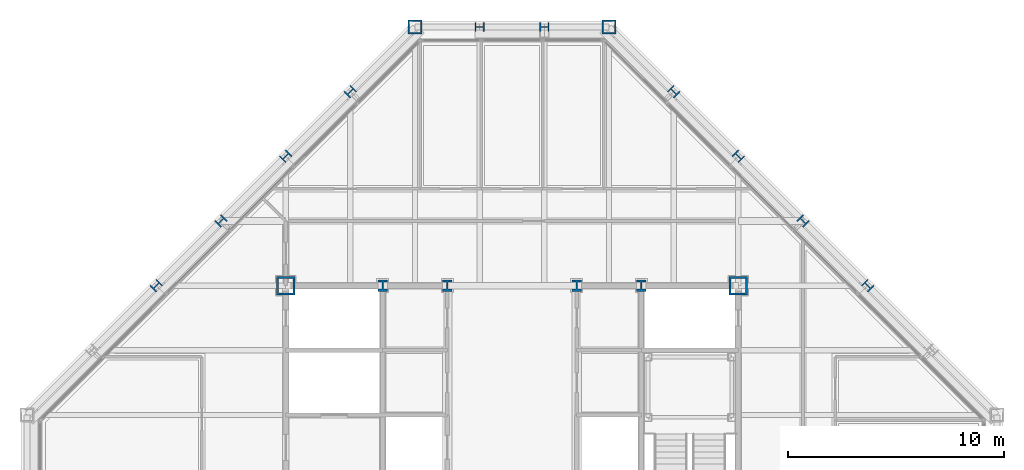
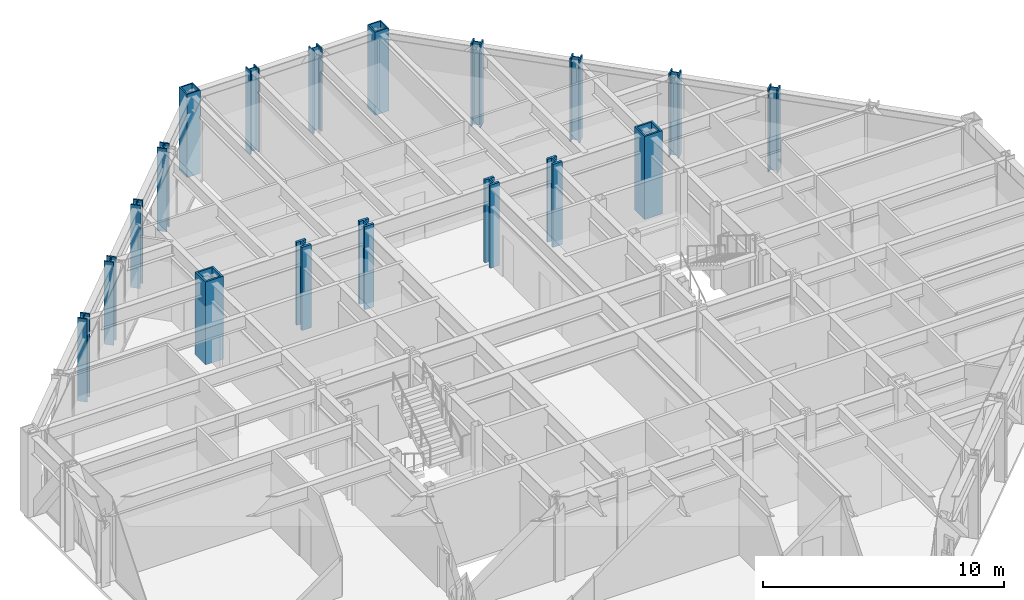
# One storey, part 4 of 15: 18 columns.
"""IFC4 building model written with IfcOpenShell, lengths in metres."""

from ifc_helpers import new_model, si_unit, direction, frame, origin, origin_2d, place, context, subcontext, project, spatial, hollow_rectangle, i_section, extrude, material, material_profile, profile_set, type_object, element, save


model = new_model("IFC4")

# Units and contexts
model_context = context("Model", 3, precision=1e-05, world=origin(), true_north=direction((0.0, 1.0)))
body_context = subcontext(model_context, "Body", "Model", "MODEL_VIEW")
ifc_project = project(units=[si_unit("LENGTHUNIT", "METRE"), si_unit("AREAUNIT", "SQUARE_METRE"), si_unit("VOLUMEUNIT", "CUBIC_METRE"), si_unit("PLANEANGLEUNIT", "RADIAN"), si_unit("MASSUNIT", "GRAM", prefix="KILO")], contexts=[model_context])

# Site, building, storey
site_placement = place(None, origin())
site = spatial("IfcSite", under=ifc_project, at=site_placement, CompositionType="ELEMENT")
building_placement = place(site_placement, origin())
building = spatial("IfcBuilding", under=site, at=building_placement, Name="Chuquiago Exchange Tower", CompositionType="ELEMENT")
storey_placement = place(building_placement, frame((0.0, 0.0, 279.0)))
storey = spatial("IfcBuildingStorey", under=building, at=storey_placement, Name="L62", CompositionType="ELEMENT", Elevation=279.0)

# Columns
ifc_material_1 = material(Name="Steel ASTM A992", Category="steel")
ifc_material_profile_1 = material_profile(ifc_material_1, i_section(OverallWidth=0.411376953125, OverallDepth=0.434326171875, WebThickness=0.035888671875, FlangeThickness=0.057373046875, at=origin_2d()), Name="W14X311")
ifc_profile_set_1 = profile_set([ifc_material_profile_1], Name="Steel ASTM A992")
column_type_1 = type_object("IfcColumnType", Name="C5 W14X311", PredefinedType="COLUMN", material=ifc_profile_set_1)
for number, where, z_axis, x_axis, name in (
    (1, (24.0, 45.0, 0.0), (0.0, 0.0, 1.0), (0.0, 1.0, 0.0), "COL-L62-24_45"),
    (2, (21.0, 45.0, 0.0), (0.0, 0.0, 1.0), (0.0, 1.0, 0.0), "COL-L62-21_45"),
):
    element("IfcColumn", number, at=place(storey_placement, frame(where, z_axis=z_axis, x_axis=x_axis)), inside=storey, type_object=column_type_1, Name=name, PredefinedType="COLUMN", context=body_context, shape_type="SweptSolid", body=[
        extrude(i_section(OverallWidth=0.411376953125, OverallDepth=0.434326171875, WebThickness=0.035888671875, FlangeThickness=0.057373046875, at=origin_2d()), origin(), (0.0, 0.0, 1.0), 4.199951171875),
    ])
ifc_material_2 = material(Name="Steel ASTM A992", Category="steel")
ifc_material_profile_2 = material_profile(ifc_material_2, i_section(OverallWidth=0.449462890625, OverallDepth=0.548583984375, WebThickness=0.07177734375, FlangeThickness=0.11474609375, at=origin_2d()), Name="W14X665")
ifc_profile_set_2 = profile_set([ifc_material_profile_2], Name="Steel ASTM A992")
column_type_2 = type_object("IfcColumnType", Name="CC5 W14X665", PredefinedType="COLUMN", material=ifc_profile_set_2)
for number, where, z_axis, x_axis, name in (
    (3, (16.5, 33.0, 0.0), (0.0, 0.0, 1.0), (1.0, 0.0, 0.0), "CCOL-L62-16.5_33"),
    (4, (19.5, 33.0, 0.0), (0.0, 0.0, 1.0), (1.0, 0.0, 0.0), "CCOL-L62-19.5_33"),
    (5, (25.5, 33.0, 0.0), (0.0, 0.0, 1.0), (1.0, 0.0, 0.0), "CCOL-L62-25.5_33"),
    (6, (28.5, 33.0, 0.0), (0.0, 0.0, 1.0), (1.0, 0.0, 0.0), "CCOL-L62-28.5_33"),
):
    element("IfcColumn", number, at=place(storey_placement, frame(where, z_axis=z_axis, x_axis=x_axis)), inside=storey, type_object=column_type_2, Name=name, PredefinedType="COLUMN", context=body_context, shape_type="SweptSolid", body=[
        extrude(i_section(OverallWidth=0.449462890625, OverallDepth=0.548583984375, WebThickness=0.07177734375, FlangeThickness=0.11474609375, at=origin_2d()), origin(), (0.0, 0.0, 1.0), 4.199951171875),
    ])
ifc_material_3 = material(Name="Steel ASTM A572 Grade 50", Category="steel")
ifc_material_profile_3 = material_profile(ifc_material_3, hollow_rectangle(XDim=0.85009765625, YDim=0.85009765625, WallThickness=0.0849609375, at=origin_2d()), Name="BOX850X850X85")
ifc_profile_set_3 = profile_set([ifc_material_profile_3], Name="Steel ASTM A572 Grade 50")
column_type_3 = type_object("IfcColumnType", Name="CC6 BOX850X850X85", PredefinedType="COLUMN", material=ifc_profile_set_3)
for number, where, z_axis, x_axis, name in (
    (7, (12.0, 33.0, 0.0), (0.0, 0.0, 1.0), (1.0, 0.0, 0.0), "CCOL-L62-12_33"),
    (8, (33.0, 33.0, 0.0), (0.0, 0.0, 1.0), (1.0, 0.0, 0.0), "CCOL-L62-33_33"),
):
    element("IfcColumn", number, at=place(storey_placement, frame(where, z_axis=z_axis, x_axis=x_axis)), inside=storey, type_object=column_type_3, Name=name, PredefinedType="COLUMN", context=body_context, shape_type="SweptSolid", body=[
        extrude(hollow_rectangle(XDim=0.85009765625, YDim=0.85009765625, WallThickness=0.0849609375, at=origin_2d()), origin(), (0.0, 0.0, 1.0), 4.199951171875),
    ])
ifc_material_4 = material(Name="Steel ASTM A992", Category="steel")
ifc_material_profile_4 = material_profile(ifc_material_4, i_section(OverallWidth=0.41650390625, OverallDepth=0.444580078125, WebThickness=0.0390625, FlangeThickness=0.062744140625, at=origin_2d()), Name="W14X342")
ifc_profile_set_4 = profile_set([ifc_material_profile_4], Name="Steel ASTM A992")
column_type_4 = type_object("IfcColumnType", Name="CK5 W14X342", PredefinedType="COLUMN", material=ifc_profile_set_4)
for number, where, z_axis, x_axis, name in (
    (9, (39.0, 33.0, 0.0), (0.0, 0.0, 1.0), (0.707106781187, 0.707106781187, 0.0), "COL-L62-39_33"),
    (10, (36.0, 36.0, 0.0), (0.0, 0.0, 1.0), (0.707106781187, 0.707106781187, 0.0), "COL-L62-36_36"),
    (11, (33.0, 39.0, 0.0), (0.0, 0.0, 1.0), (0.707106781187, 0.707106781187, 0.0), "COL-L62-33_39"),
    (12, (30.0, 42.0, 0.0), (0.0, 0.0, 1.0), (0.707106781187, 0.707106781187, 0.0), "COL-L62-30_42"),
    (13, (15.0, 42.0, 0.0), (0.0, 0.0, 1.0), (-0.707106781187, 0.707106781187, 0.0), "COL-L62-15_42"),
    (14, (12.0, 39.0, 0.0), (0.0, 0.0, 1.0), (-0.707106781187, 0.707106781187, 0.0), "COL-L62-12_39"),
    (15, (9.0, 36.0, 0.0), (0.0, 0.0, 1.0), (-0.707106781187, 0.707106781187, 0.0), "COL-L62-9_36"),
    (16, (6.0, 33.0, 0.0), (0.0, 0.0, 1.0), (-0.707106781187, 0.707106781187, 0.0), "COL-L62-6_33"),
):
    element("IfcColumn", number, at=place(storey_placement, frame(where, z_axis=z_axis, x_axis=x_axis)), inside=storey, type_object=column_type_4, Name=name, PredefinedType="COLUMN", context=body_context, shape_type="SweptSolid", body=[
        extrude(i_section(OverallWidth=0.41650390625, OverallDepth=0.444580078125, WebThickness=0.0390625, FlangeThickness=0.062744140625, at=origin_2d()), origin(), (0.0, 0.0, 1.0), 4.199951171875),
    ])
ifc_material_5 = material(Name="Steel ASTM A572 Grade 50", Category="steel")
ifc_material_profile_5 = material_profile(ifc_material_5, hollow_rectangle(XDim=0.64990234375, YDim=0.64990234375, WallThickness=0.06494140625, at=origin_2d()), Name="BOX650X650X65")
ifc_profile_set_5 = profile_set([ifc_material_profile_5], Name="Steel ASTM A572 Grade 50")
column_type_5 = type_object("IfcColumnType", Name="CN2 BOX650X650X65", PredefinedType="COLUMN", material=ifc_profile_set_5)
for number, where, z_axis, x_axis, name in (
    (17, (27.0, 45.0, 0.0), (0.0, 0.0, 1.0), (0.0, 1.0, 0.0), "COL-L62-27_45"),
    (18, (18.0, 45.0, 0.0), (0.0, 0.0, 1.0), (0.0, 1.0, 0.0), "COL-L62-18_45"),
):
    element("IfcColumn", number, at=place(storey_placement, frame(where, z_axis=z_axis, x_axis=x_axis)), inside=storey, type_object=column_type_5, Name=name, PredefinedType="COLUMN", context=body_context, shape_type="SweptSolid", body=[
        extrude(hollow_rectangle(XDim=0.64990234375, YDim=0.64990234375, WallThickness=0.06494140625, at=origin_2d()), origin(), (0.0, 0.0, 1.0), 4.199951171875),
    ])

save(model, "model.ifc")
